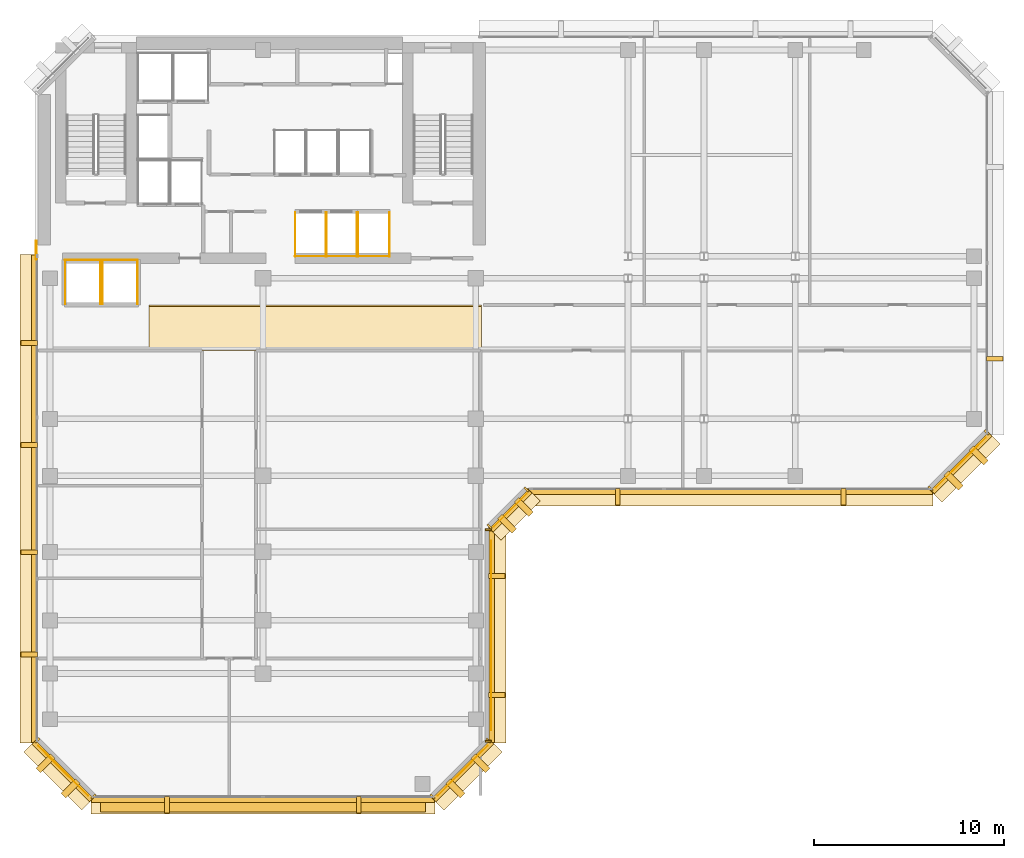
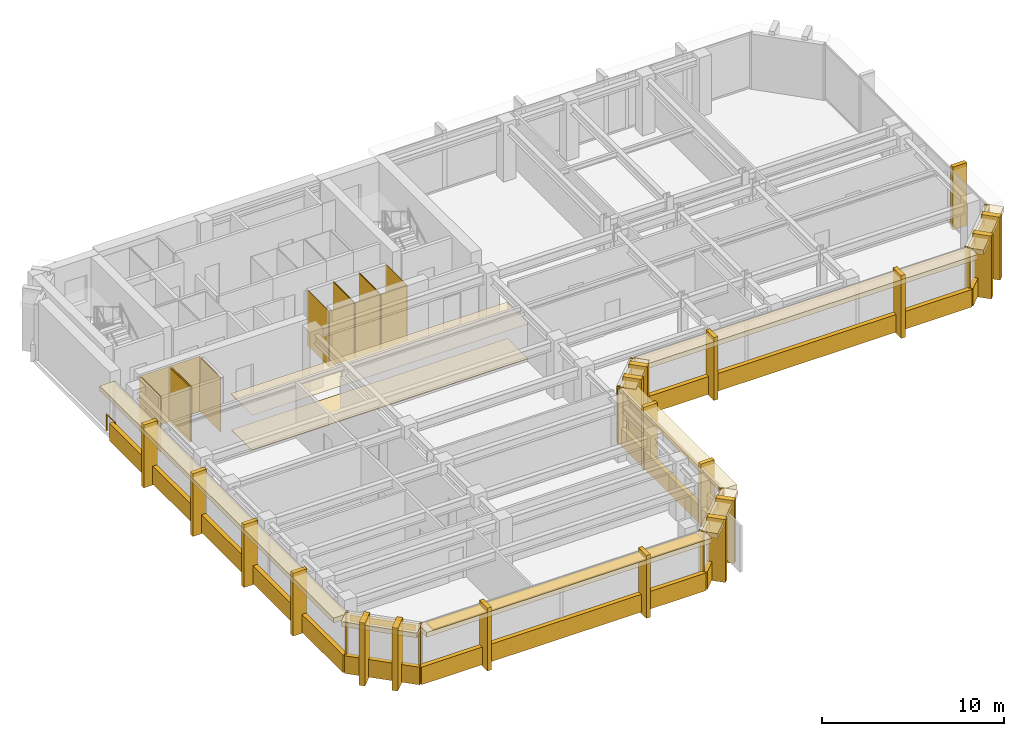
# One storey, part 9 of 12: 67 coverings, 1 railing, 1 shading device.
"""IFC4 building model written with IfcOpenShell, lengths in metres."""

from ifc_helpers import new_model, si_unit, direction, frame, origin, origin_2d, place, context, subcontext, project, spatial, polyline, rectangle, circle, outline, extrude, material, layer, layer_set, type_object, element, save


model = new_model("IFC4")

# Units and contexts
model_context = context("Model", 3, precision=1e-05, world=origin(), true_north=direction((0.0, 1.0)))
body_context = subcontext(model_context, "Body", "Model", "MODEL_VIEW")
ifc_project = project(units=[si_unit("LENGTHUNIT", "METRE"), si_unit("AREAUNIT", "SQUARE_METRE"), si_unit("VOLUMEUNIT", "CUBIC_METRE"), si_unit("PLANEANGLEUNIT", "RADIAN"), si_unit("MASSUNIT", "GRAM", prefix="KILO")], contexts=[model_context])

# Site, building, storey
site_placement = place(None, origin())
site = spatial("IfcSite", under=ifc_project, at=site_placement, CompositionType="ELEMENT")
building_placement = place(site_placement, origin())
building = spatial("IfcBuilding", under=site, at=building_placement, Name="Kefirva Bronze Tower", CompositionType="ELEMENT")
storey_placement = place(building_placement, frame((0.0, 0.0, 207.239990234375)))
storey = spatial("IfcBuildingStorey", under=building, at=storey_placement, Name="L50", CompositionType="ELEMENT", Elevation=207.239990234375)

# Coverings
ifc_material_1 = material(Name="Acoustic mineral tile")
ifc_layer_1 = layer(ifc_material_1, 0.02490234375, Name="Acoustic mineral tile")
ifc_layer_set_1 = layer_set([ifc_layer_1], Name="Acoustic mineral tile")
covering_type_1 = type_object("IfcCoveringType", Name="Acoustic Mineral Suspended Ceiling 25mm", PredefinedType="CEILING", material=ifc_layer_set_1)
covering_1_placement = place(storey_placement, frame((0.0, 0.0, 2.39990234375)))
element("IfcCovering", 1, at=covering_1_placement, inside=storey, type_object=covering_type_1, Name="L50 Corridor Acoustic Ceiling", PredefinedType="CEILING", context=body_context, shape_type="SweptSolid", body=[
    extrude(outline(polyline([(6.0, 29.39990234375), (23.5, 29.39990234375), (23.5, 31.800048828125), (6.0, 31.800048828125), (6.0, 29.39990234375)])), origin(), (0.0, 0.0, 1.0), 0.025146484375),
])
ifc_material_2 = material(Name="Bronze anodised aluminium", Category="aluminium")
ifc_layer_2 = layer(ifc_material_2, 0.02001953125, Name="Bronze anodised aluminium")
ifc_layer_set_2 = layer_set([ifc_layer_2], Name="Bronze anodised aluminium")
covering_type_2 = type_object("IfcCoveringType", Name="Anodised Bronze Spandrel Cladding 20mm", PredefinedType="CLADDING", material=ifc_layer_set_2)
covering_2_placement = place(storey_placement, frame((12.0, 5.760009765625, -0.16015625), z_axis=(0.0, 0.0, 1.0), x_axis=(1.0, 0.0, 0.0)))
element("IfcCovering", 2, at=covering_2_placement, inside=storey, type_object=covering_type_2, Name="L50 Streamline Horizontal Spandrel Band 0", PredefinedType="CLADDING", context=body_context, shape_type="SweptSolid", body=[
    extrude(rectangle(XDim=18.0400390625, YDim=0.280029296875, at=origin_2d()), origin(), (0.0, 0.0, 1.0), 1.179931640625),
])
covering_3_placement = place(storey_placement, frame((22.507080078125, 7.29296875, 3.2900390625), z_axis=(0.0, 0.0, 1.0), x_axis=(0.707106781187, 0.707106781187, 0.0)))
element("IfcCovering", 3, at=covering_3_placement, inside=storey, type_object=covering_type_2, Name="L50 Bronze Spandrel Cladding 1", PredefinedType="CLADDING", context=body_context, shape_type="SweptSolid", body=[
    extrude(rectangle(XDim=3.719482421875, YDim=0.02001953125, at=origin_2d()), origin(), (0.0, 0.0, 1.0), 0.39990234375),
])
for number, where, z_axis, x_axis, name in (
    (4, (20.91162109375, 5.93798828125, 0.0), (0.0, 0.0, 1.0), (0.707106781187, 0.707106781187, 0.0), "L50 Facade Joint Closure Panel 1S"),
    (5, (23.862060546875, 8.88818359375, 0.0), (0.0, 0.0, 1.0), (0.707106781187, 0.707106781187, 0.0), "L50 Facade Joint Closure Panel 1E"),
):
    element("IfcCovering", number, at=place(storey_placement, frame(where, z_axis=z_axis, x_axis=x_axis)), inside=storey, type_object=covering_type_2, Name=name, PredefinedType="CLADDING", context=body_context, shape_type="SweptSolid", body=[
        extrude(rectangle(XDim=0.10009765625, YDim=0.320068359375, at=origin_2d()), origin(), (0.0, 0.0, 1.0), 3.7099609375),
    ])
covering_4_placement = place(storey_placement, frame((22.5283203125, 7.271728515625, -0.16015625), z_axis=(0.0, 0.0, 1.0), x_axis=(0.707106781187, 0.707106781187, 0.0)))
element("IfcCovering", 6, at=covering_4_placement, inside=storey, type_object=covering_type_2, Name="L50 Streamline Horizontal Spandrel Band 1", PredefinedType="CLADDING", context=body_context, shape_type="SweptSolid", body=[
    extrude(rectangle(XDim=4.28271484375, YDim=0.280029296875, at=origin_2d()), origin(), (0.0, 0.0, 1.0), 1.179931640625),
])
covering_5_placement = place(storey_placement, frame((24.010009765625, 14.39990234375, 3.2900390625), z_axis=(0.0, 0.0, 1.0), x_axis=(0.0, 1.0, 0.0)))
element("IfcCovering", 7, at=covering_5_placement, inside=storey, type_object=covering_type_2, Name="L50 Bronze Spandrel Cladding 2", PredefinedType="CLADDING", context=body_context, shape_type="SweptSolid", body=[
    extrude(rectangle(XDim=9.98095703125, YDim=0.02001953125, at=origin_2d()), origin(), (0.0, 0.0, 1.0), 0.39990234375),
])
for number, where, z_axis, x_axis, name in (
    (8, (23.840087890625, 8.8349609375, 0.0), (0.0, 0.0, 1.0), (0.0, 1.0, 0.0), "L50 Facade Joint Closure Panel 2S"),
    (9, (23.840087890625, 19.965087890625, 0.0), (0.0, 0.0, 1.0), (0.0, 1.0, 0.0), "L50 Facade Joint Closure Panel 2E"),
):
    element("IfcCovering", number, at=place(storey_placement, frame(where, z_axis=z_axis, x_axis=x_axis)), inside=storey, type_object=covering_type_2, Name=name, PredefinedType="CLADDING", context=body_context, shape_type="SweptSolid", body=[
        extrude(rectangle(XDim=0.10009765625, YDim=0.320068359375, at=origin_2d()), origin(), (0.0, 0.0, 1.0), 3.7099609375),
    ])
covering_6_placement = place(storey_placement, frame((24.0400390625, 14.39990234375, -0.16015625), z_axis=(0.0, 0.0, 1.0), x_axis=(0.0, 1.0, 0.0)))
element("IfcCovering", 10, at=covering_6_placement, inside=storey, type_object=covering_type_2, Name="L50 Streamline Horizontal Spandrel Band 2", PredefinedType="CLADDING", context=body_context, shape_type="SweptSolid", body=[
    extrude(rectangle(XDim=11.239990234375, YDim=0.280029296875, at=origin_2d()), origin(), (0.0, 0.0, 1.0), 1.179931640625),
])
covering_7_placement = place(storey_placement, frame((25.007080078125, 20.992919921875, 3.2900390625), z_axis=(0.0, 0.0, 1.0), x_axis=(0.707106781187, 0.707106781187, 0.0)))
element("IfcCovering", 11, at=covering_7_placement, inside=storey, type_object=covering_type_2, Name="L50 Bronze Spandrel Cladding 3", PredefinedType="CLADDING", context=body_context, shape_type="SweptSolid", body=[
    extrude(rectangle(XDim=2.446533203125, YDim=0.02001953125, at=origin_2d()), origin(), (0.0, 0.0, 1.0), 0.39990234375),
])
for number, where, z_axis, x_axis, name in (
    (12, (23.91162109375, 20.137939453125, 0.0), (0.0, 0.0, 1.0), (0.707106781187, 0.707106781187, 0.0), "L50 Facade Joint Closure Panel 3S"),
    (13, (25.862060546875, 22.08837890625, 0.0), (0.0, 0.0, 1.0), (0.707106781187, 0.707106781187, 0.0), "L50 Facade Joint Closure Panel 3E"),
):
    element("IfcCovering", number, at=place(storey_placement, frame(where, z_axis=z_axis, x_axis=x_axis)), inside=storey, type_object=covering_type_2, Name=name, PredefinedType="CLADDING", context=body_context, shape_type="SweptSolid", body=[
        extrude(rectangle(XDim=0.10009765625, YDim=0.320068359375, at=origin_2d()), origin(), (0.0, 0.0, 1.0), 3.7099609375),
    ])
covering_8_placement = place(storey_placement, frame((25.0283203125, 20.9716796875, -0.16015625), z_axis=(0.0, 0.0, 1.0), x_axis=(0.707106781187, 0.707106781187, 0.0)))
element("IfcCovering", 14, at=covering_8_placement, inside=storey, type_object=covering_type_2, Name="L50 Streamline Horizontal Spandrel Band 3", PredefinedType="CLADDING", context=body_context, shape_type="SweptSolid", body=[
    extrude(rectangle(XDim=2.868408203125, YDim=0.280029296875, at=origin_2d()), origin(), (0.0, 0.0, 1.0), 1.179931640625),
])
covering_9_placement = place(storey_placement, frame((36.60009765625, 21.9599609375, -0.16015625), z_axis=(0.0, 0.0, 1.0), x_axis=(1.0, 0.0, 0.0)))
element("IfcCovering", 15, at=covering_9_placement, inside=storey, type_object=covering_type_2, Name="L50 Streamline Horizontal Spandrel Band 4", PredefinedType="CLADDING", context=body_context, shape_type="SweptSolid", body=[
    extrude(rectangle(XDim=21.239990234375, YDim=0.280029296875, at=origin_2d()), origin(), (0.0, 0.0, 1.0), 1.179931640625),
])
covering_10_placement = place(storey_placement, frame((48.70703125, 23.492919921875, 3.2900390625), z_axis=(0.0, 0.0, 1.0), x_axis=(0.707106781187, 0.707106781187, 0.0)))
element("IfcCovering", 16, at=covering_10_placement, inside=storey, type_object=covering_type_2, Name="L50 Bronze Spandrel Cladding 4", PredefinedType="CLADDING", context=body_context, shape_type="SweptSolid", body=[
    extrude(rectangle(XDim=3.719482421875, YDim=0.02001953125, at=origin_2d()), origin(), (0.0, 0.0, 1.0), 0.39990234375),
])
for number, where, z_axis, x_axis, name in (
    (17, (47.11181640625, 22.137939453125, 0.0), (0.0, 0.0, 1.0), (0.707106781187, 0.707106781187, 0.0), "L50 Facade Joint Closure Panel 4S"),
    (18, (50.06201171875, 25.08837890625, 0.0), (0.0, 0.0, 1.0), (0.707106781187, 0.707106781187, 0.0), "L50 Facade Joint Closure Panel 4E"),
):
    element("IfcCovering", number, at=place(storey_placement, frame(where, z_axis=z_axis, x_axis=x_axis)), inside=storey, type_object=covering_type_2, Name=name, PredefinedType="CLADDING", context=body_context, shape_type="SweptSolid", body=[
        extrude(rectangle(XDim=0.10009765625, YDim=0.320068359375, at=origin_2d()), origin(), (0.0, 0.0, 1.0), 3.7099609375),
    ])
covering_11_placement = place(storey_placement, frame((48.728271484375, 23.4716796875, -0.16015625), z_axis=(0.0, 0.0, 1.0), x_axis=(0.707106781187, 0.707106781187, 0.0)))
element("IfcCovering", 19, at=covering_11_placement, inside=storey, type_object=covering_type_2, Name="L50 Streamline Horizontal Spandrel Band 5", PredefinedType="CLADDING", context=body_context, shape_type="SweptSolid", body=[
    extrude(rectangle(XDim=4.28271484375, YDim=0.280029296875, at=origin_2d()), origin(), (0.0, 0.0, 1.0), 1.179931640625),
])
covering_12_placement = place(storey_placement, frame((-0.0400390625, 21.597412109375, -0.16015625), z_axis=(0.0, 0.0, 1.0), x_axis=(0.0, -1.0, 0.0)))
element("IfcCovering", 20, at=covering_12_placement, inside=storey, type_object=covering_type_2, Name="L50 Streamline Horizontal Spandrel Band 10", PredefinedType="CLADDING", context=body_context, shape_type="SweptSolid", body=[
    extrude(rectangle(XDim=25.635009765625, YDim=0.280029296875, at=origin_2d()), origin(), (0.0, 0.0, 1.0), 1.179931640625),
])
covering_13_placement = place(storey_placement, frame((1.492919921875, 7.29296875, 3.2900390625), z_axis=(0.0, 0.0, 1.0), x_axis=(0.707106781187, -0.707106781187, 0.0)))
element("IfcCovering", 21, at=covering_13_placement, inside=storey, type_object=covering_type_2, Name="L50 Bronze Spandrel Cladding 7", PredefinedType="CLADDING", context=body_context, shape_type="SweptSolid", body=[
    extrude(rectangle(XDim=3.719482421875, YDim=0.02001953125, at=origin_2d()), origin(), (0.0, 0.0, 1.0), 0.39990234375),
])
for number, where, z_axis, x_axis, name in (
    (22, (0.137939453125, 8.88818359375, 0.0), (0.0, 0.0, 1.0), (0.707106781187, -0.707106781187, 0.0), "L50 Facade Joint Closure Panel 7S"),
    (23, (3.08837890625, 5.93798828125, 0.0), (0.0, 0.0, 1.0), (0.707106781187, -0.707106781187, 0.0), "L50 Facade Joint Closure Panel 7E"),
):
    element("IfcCovering", number, at=place(storey_placement, frame(where, z_axis=z_axis, x_axis=x_axis)), inside=storey, type_object=covering_type_2, Name=name, PredefinedType="CLADDING", context=body_context, shape_type="SweptSolid", body=[
        extrude(rectangle(XDim=0.10009765625, YDim=0.320068359375, at=origin_2d()), origin(), (0.0, 0.0, 1.0), 3.7099609375),
    ])
covering_14_placement = place(storey_placement, frame((1.4716796875, 7.271728515625, -0.16015625), z_axis=(0.0, 0.0, 1.0), x_axis=(0.707106781187, -0.707106781187, 0.0)))
element("IfcCovering", 24, at=covering_14_placement, inside=storey, type_object=covering_type_2, Name="L50 Streamline Horizontal Spandrel Band 11", PredefinedType="CLADDING", context=body_context, shape_type="SweptSolid", body=[
    extrude(rectangle(XDim=4.28271484375, YDim=0.280029296875, at=origin_2d()), origin(), (0.0, 0.0, 1.0), 1.179931640625),
])
covering_15_placement = place(storey_placement, origin())
element("IfcCovering", 25, at=covering_15_placement, inside=storey, type_object=covering_type_2, Name="L50 Lift OB1 Hoistway Liner N", PredefinedType="CLADDING", context=body_context, shape_type="SweptSolid", body=[
    extrude(outline(polyline([(1.580078125, 34.139892578125), (3.469970703125, 34.139892578125), (3.469970703125, 34.159912109375), (1.580078125, 34.159912109375), (1.580078125, 34.139892578125)])), origin(), (0.0, 0.0, 1.0), 3.7099609375),
])
covering_16_placement = place(storey_placement, origin())
element("IfcCovering", 26, at=covering_16_placement, inside=storey, type_object=covering_type_2, Name="L50 Lift OB1 Hoistway Liner W", PredefinedType="CLADDING", context=body_context, shape_type="SweptSolid", body=[
    extrude(outline(polyline([(1.590087890625, 31.830078125), (1.610107421875, 31.830078125), (1.610107421875, 34.169921875), (1.590087890625, 34.169921875), (1.590087890625, 31.830078125)])), origin(), (0.0, 0.0, 1.0), 3.7099609375),
])
covering_17_placement = place(storey_placement, origin())
element("IfcCovering", 27, at=covering_17_placement, inside=storey, type_object=covering_type_2, Name="L50 Lift OB1 Hoistway Liner E", PredefinedType="CLADDING", context=body_context, shape_type="SweptSolid", body=[
    extrude(outline(polyline([(3.43994140625, 31.830078125), (3.4599609375, 31.830078125), (3.4599609375, 34.169921875), (3.43994140625, 34.169921875), (3.43994140625, 31.830078125)])), origin(), (0.0, 0.0, 1.0), 3.7099609375),
])
covering_18_placement = place(storey_placement, origin())
element("IfcCovering", 28, at=covering_18_placement, inside=storey, type_object=covering_type_2, Name="L50 Lift OB2 Hoistway Liner N", PredefinedType="CLADDING", context=body_context, shape_type="SweptSolid", body=[
    extrude(outline(polyline([(3.530029296875, 34.139892578125), (5.419921875, 34.139892578125), (5.419921875, 34.159912109375), (3.530029296875, 34.159912109375), (3.530029296875, 34.139892578125)])), origin(), (0.0, 0.0, 1.0), 3.7099609375),
])
covering_19_placement = place(storey_placement, origin())
element("IfcCovering", 29, at=covering_19_placement, inside=storey, type_object=covering_type_2, Name="L50 Lift OB2 Hoistway Liner W", PredefinedType="CLADDING", context=body_context, shape_type="SweptSolid", body=[
    extrude(outline(polyline([(3.5400390625, 31.830078125), (3.56005859375, 31.830078125), (3.56005859375, 34.169921875), (3.5400390625, 34.169921875), (3.5400390625, 31.830078125)])), origin(), (0.0, 0.0, 1.0), 3.7099609375),
])
covering_20_placement = place(storey_placement, origin())
element("IfcCovering", 30, at=covering_20_placement, inside=storey, type_object=covering_type_2, Name="L50 Lift OB2 Hoistway Liner E", PredefinedType="CLADDING", context=body_context, shape_type="SweptSolid", body=[
    extrude(outline(polyline([(5.389892578125, 31.830078125), (5.409912109375, 31.830078125), (5.409912109375, 34.169921875), (5.389892578125, 34.169921875), (5.389892578125, 31.830078125)])), origin(), (0.0, 0.0, 1.0), 3.7099609375),
])
covering_21_placement = place(storey_placement, origin())
element("IfcCovering", 31, at=covering_21_placement, inside=storey, type_object=covering_type_2, Name="L50 Lift MP1 Hoistway Liner S", PredefinedType="CLADDING", context=body_context, shape_type="SweptSolid", body=[
    extrude(outline(polyline([(13.679931640625, 34.340087890625), (15.320068359375, 34.340087890625), (15.320068359375, 34.360107421875), (13.679931640625, 34.360107421875), (13.679931640625, 34.340087890625)])), origin(), (0.0, 0.0, 1.0), 3.7099609375),
])
covering_22_placement = place(storey_placement, origin())
element("IfcCovering", 32, at=covering_22_placement, inside=storey, type_object=covering_type_2, Name="L50 Lift MP1 Hoistway Liner W", PredefinedType="CLADDING", context=body_context, shape_type="SweptSolid", body=[
    extrude(outline(polyline([(13.68994140625, 34.330078125), (13.7099609375, 34.330078125), (13.7099609375, 36.669921875), (13.68994140625, 36.669921875), (13.68994140625, 34.330078125)])), origin(), (0.0, 0.0, 1.0), 3.7099609375),
])
covering_23_placement = place(storey_placement, origin())
element("IfcCovering", 33, at=covering_23_placement, inside=storey, type_object=covering_type_2, Name="L50 Lift MP1 Hoistway Liner E", PredefinedType="CLADDING", context=body_context, shape_type="SweptSolid", body=[
    extrude(outline(polyline([(15.2900390625, 34.330078125), (15.31005859375, 34.330078125), (15.31005859375, 36.669921875), (15.2900390625, 36.669921875), (15.2900390625, 34.330078125)])), origin(), (0.0, 0.0, 1.0), 3.7099609375),
])
covering_24_placement = place(storey_placement, origin())
element("IfcCovering", 34, at=covering_24_placement, inside=storey, type_object=covering_type_2, Name="L50 Lift MP2 Hoistway Liner S", PredefinedType="CLADDING", context=body_context, shape_type="SweptSolid", body=[
    extrude(outline(polyline([(15.330078125, 34.340087890625), (16.969970703125, 34.340087890625), (16.969970703125, 34.360107421875), (15.330078125, 34.360107421875), (15.330078125, 34.340087890625)])), origin(), (0.0, 0.0, 1.0), 3.7099609375),
])
covering_25_placement = place(storey_placement, origin())
element("IfcCovering", 35, at=covering_25_placement, inside=storey, type_object=covering_type_2, Name="L50 Lift MP2 Hoistway Liner W", PredefinedType="CLADDING", context=body_context, shape_type="SweptSolid", body=[
    extrude(outline(polyline([(15.340087890625, 34.330078125), (15.360107421875, 34.330078125), (15.360107421875, 36.669921875), (15.340087890625, 36.669921875), (15.340087890625, 34.330078125)])), origin(), (0.0, 0.0, 1.0), 3.7099609375),
])
covering_26_placement = place(storey_placement, origin())
element("IfcCovering", 36, at=covering_26_placement, inside=storey, type_object=covering_type_2, Name="L50 Lift MP2 Hoistway Liner E", PredefinedType="CLADDING", context=body_context, shape_type="SweptSolid", body=[
    extrude(outline(polyline([(16.93994140625, 34.330078125), (16.9599609375, 34.330078125), (16.9599609375, 36.669921875), (16.93994140625, 36.669921875), (16.93994140625, 34.330078125)])), origin(), (0.0, 0.0, 1.0), 3.7099609375),
])
covering_27_placement = place(storey_placement, origin())
element("IfcCovering", 37, at=covering_27_placement, inside=storey, type_object=covering_type_2, Name="L50 Lift HP1 Hoistway Liner S", PredefinedType="CLADDING", context=body_context, shape_type="SweptSolid", body=[
    extrude(outline(polyline([(16.97998046875, 34.340087890625), (18.669921875, 34.340087890625), (18.669921875, 34.360107421875), (16.97998046875, 34.360107421875), (16.97998046875, 34.340087890625)])), origin(), (0.0, 0.0, 1.0), 3.7099609375),
])
covering_28_placement = place(storey_placement, origin())
element("IfcCovering", 38, at=covering_28_placement, inside=storey, type_object=covering_type_2, Name="L50 Lift HP1 Hoistway Liner W", PredefinedType="CLADDING", context=body_context, shape_type="SweptSolid", body=[
    extrude(outline(polyline([(16.989990234375, 34.330078125), (17.010009765625, 34.330078125), (17.010009765625, 36.669921875), (16.989990234375, 36.669921875), (16.989990234375, 34.330078125)])), origin(), (0.0, 0.0, 1.0), 3.7099609375),
])
covering_29_placement = place(storey_placement, origin())
element("IfcCovering", 39, at=covering_29_placement, inside=storey, type_object=covering_type_2, Name="L50 Lift HP1 Hoistway Liner E", PredefinedType="CLADDING", context=body_context, shape_type="SweptSolid", body=[
    extrude(outline(polyline([(18.639892578125, 34.330078125), (18.659912109375, 34.330078125), (18.659912109375, 36.669921875), (18.639892578125, 36.669921875), (18.639892578125, 34.330078125)])), origin(), (0.0, 0.0, 1.0), 3.7099609375),
])

# Shading device
ifc_layer_3 = layer(ifc_material_2, 0.090087890625, Name="Bronze anodised aluminium")
ifc_layer_set_3 = layer_set([ifc_layer_3], Name="Bronze anodised aluminium")
shading_device_type = type_object("IfcShadingDeviceType", Name="Horizontal Bronze Sunshade Band 750mm", PredefinedType="JALOUSIE", material=ifc_layer_set_3)
shading_device_placement = place(storey_placement, frame((12.0, 5.5048828125, 3.60498046875), z_axis=(0.0, 0.0, 1.0), x_axis=(1.0, 0.0, 0.0)))
element("IfcShadingDevice", 40, at=shading_device_placement, inside=storey, type_object=shading_device_type, Name="L50 Horizontal Bronze Sunshade Band 0", PredefinedType="JALOUSIE", context=body_context, shape_type="SweptSolid", body=[
    extrude(rectangle(XDim=17.090087890625, YDim=0.75, at=origin_2d()), origin(), (0.0, 0.0, 1.0), 0.090087890625),
])

# Railing
ifc_material_3 = material(Name="Stainless steel 316", Category="steel")
railing_type = type_object("IfcRailingType", Name="Interior Stair Guardrail 1100mm", PredefinedType="GUARDRAIL", material=ifc_material_3)
railing_placement = place(storey_placement, frame((0.080078125, 34.199951171875, 0.0)))
element("IfcRailing", 41, at=railing_placement, inside=storey, type_object=railing_type, Name="L50 West Core Junction Guardrail", PredefinedType="GUARDRAIL", context=body_context, shape_type="SweptSolid", body=[
    extrude(circle(Radius=0.02392578125, at=origin_2d()), frame((0.0, 0.0, 1.076171875), z_axis=(0.0, 1.0, 0.0), x_axis=(-1.0, 0.0, 0.0)), (0.0, 0.0, 1.0), 0.949951171875),
    extrude(circle(Radius=0.02099609375, at=origin_2d()), origin(), (0.0, 0.0, 1.0), 1.052001953125),
    extrude(circle(Radius=0.02099609375, at=origin_2d()), frame((0.0, 0.949951171875, 0.0)), (0.0, 0.0, 1.0), 1.052001953125),
])

# Coverings
ifc_material_4 = material(Name="Calcium sulphate access tile")
ifc_layer_4 = layer(ifc_material_4, 0.044921875, Name="Calcium sulphate access tile")
ifc_layer_set_4 = layer_set([ifc_layer_4], Name="Calcium sulphate access tile")
covering_type_3 = type_object("IfcCoveringType", Name="Raised Access Office Flooring 45mm", PredefinedType="FLOORING", material=ifc_layer_set_4)
covering_30_placement = place(storey_placement, origin())
element("IfcCovering", 42, at=covering_30_placement, inside=storey, type_object=covering_type_3, Name="L50 Architectural Finish Flooring", PredefinedType="FLOORING", context=body_context, shape_type="SweptSolid", body=[
    extrude(outline(polyline([(6.0, 29.47998046875), (23.5, 29.47998046875), (23.5, 31.719970703125), (6.0, 31.719970703125), (6.0, 29.47998046875)])), origin(), (0.0, 0.0, 1.0), 0.044921875),
])
ifc_layer_5 = layer(ifc_material_2, 0.179931640625, Name="Bronze anodised aluminium")
ifc_layer_set_5 = layer_set([ifc_layer_5], Name="Bronze anodised aluminium")
covering_type_4 = type_object("IfcCoveringType", Name="Streamline Bronze Sunshade Eyebrow Cladding 180mm", PredefinedType="CLADDING", material=ifc_layer_set_5)
covering_31_placement = place(storey_placement, frame((12.0, 5.489990234375, 3.39013671875), z_axis=(0.0, 0.0, 1.0), x_axis=(1.0, 0.0, 0.0)))
element("IfcCovering", 43, at=covering_31_placement, inside=storey, type_object=covering_type_4, Name="L50 Streamline Bronze Sunshade Eyebrow 0", PredefinedType="CLADDING", context=body_context, shape_type="SweptSolid", body=[
    extrude(rectangle(XDim=18.080078125, YDim=0.93994140625, at=origin_2d()), origin(), (0.0, 0.0, 1.0), 0.320068359375),
])
covering_32_placement = place(storey_placement, frame((22.71923828125, 7.080810546875, 3.39013671875), z_axis=(0.0, 0.0, 1.0), x_axis=(0.707106781187, 0.707106781187, 0.0)))
element("IfcCovering", 44, at=covering_32_placement, inside=storey, type_object=covering_type_4, Name="L50 Streamline Bronze Sunshade Eyebrow 1", PredefinedType="CLADDING", context=body_context, shape_type="SweptSolid", body=[
    extrude(rectangle(XDim=4.322509765625, YDim=0.93994140625, at=origin_2d()), origin(), (0.0, 0.0, 1.0), 0.320068359375),
])
covering_33_placement = place(storey_placement, frame((24.31005859375, 14.39990234375, 3.39013671875), z_axis=(0.0, 0.0, 1.0), x_axis=(0.0, 1.0, 0.0)))
element("IfcCovering", 45, at=covering_33_placement, inside=storey, type_object=covering_type_4, Name="L50 Streamline Bronze Sunshade Eyebrow 2", PredefinedType="CLADDING", context=body_context, shape_type="SweptSolid", body=[
    extrude(rectangle(XDim=11.280029296875, YDim=0.93994140625, at=origin_2d()), origin(), (0.0, 0.0, 1.0), 0.320068359375),
])
covering_34_placement = place(storey_placement, frame((25.21923828125, 20.78076171875, 3.39013671875), z_axis=(0.0, 0.0, 1.0), x_axis=(0.707106781187, 0.707106781187, 0.0)))
element("IfcCovering", 46, at=covering_34_placement, inside=storey, type_object=covering_type_4, Name="L50 Streamline Bronze Sunshade Eyebrow 3", PredefinedType="CLADDING", context=body_context, shape_type="SweptSolid", body=[
    extrude(rectangle(XDim=2.908447265625, YDim=0.93994140625, at=origin_2d()), origin(), (0.0, 0.0, 1.0), 0.320068359375),
])
covering_35_placement = place(storey_placement, frame((36.60009765625, 21.68994140625, 3.39013671875), z_axis=(0.0, 0.0, 1.0), x_axis=(1.0, 0.0, 0.0)))
element("IfcCovering", 47, at=covering_35_placement, inside=storey, type_object=covering_type_4, Name="L50 Streamline Bronze Sunshade Eyebrow 4", PredefinedType="CLADDING", context=body_context, shape_type="SweptSolid", body=[
    extrude(rectangle(XDim=21.280029296875, YDim=0.93994140625, at=origin_2d()), origin(), (0.0, 0.0, 1.0), 0.320068359375),
])
covering_36_placement = place(storey_placement, frame((48.919189453125, 23.28076171875, 3.39013671875), z_axis=(0.0, 0.0, 1.0), x_axis=(0.707106781187, 0.707106781187, 0.0)))
element("IfcCovering", 48, at=covering_36_placement, inside=storey, type_object=covering_type_4, Name="L50 Streamline Bronze Sunshade Eyebrow 5", PredefinedType="CLADDING", context=body_context, shape_type="SweptSolid", body=[
    extrude(rectangle(XDim=4.322509765625, YDim=0.93994140625, at=origin_2d()), origin(), (0.0, 0.0, 1.0), 0.320068359375),
])
covering_37_placement = place(storey_placement, frame((-0.31005859375, 21.597412109375, 3.39013671875), z_axis=(0.0, 0.0, 1.0), x_axis=(0.0, -1.0, 0.0)))
element("IfcCovering", 49, at=covering_37_placement, inside=storey, type_object=covering_type_4, Name="L50 Streamline Bronze Sunshade Eyebrow 10", PredefinedType="CLADDING", context=body_context, shape_type="SweptSolid", body=[
    extrude(rectangle(XDim=25.675048828125, YDim=0.93994140625, at=origin_2d()), origin(), (0.0, 0.0, 1.0), 0.320068359375),
])
covering_38_placement = place(storey_placement, frame((1.28076171875, 7.080810546875, 3.39013671875), z_axis=(0.0, 0.0, 1.0), x_axis=(0.707106781187, -0.707106781187, 0.0)))
element("IfcCovering", 50, at=covering_38_placement, inside=storey, type_object=covering_type_4, Name="L50 Streamline Bronze Sunshade Eyebrow 11", PredefinedType="CLADDING", context=body_context, shape_type="SweptSolid", body=[
    extrude(rectangle(XDim=4.322509765625, YDim=0.93994140625, at=origin_2d()), origin(), (0.0, 0.0, 1.0), 0.320068359375),
])
ifc_layer_6 = layer(ifc_material_2, 0.260009765625, Name="Bronze anodised aluminium")
ifc_layer_set_6 = layer_set([ifc_layer_6], Name="Bronze anodised aluminium")
covering_type_5 = type_object("IfcCoveringType", Name="Unbroken Bronze Buttress Fin Cladding 260mm", PredefinedType="CLADDING", material=ifc_layer_set_6)
for number, where, z_axis, x_axis, name in (
    (51, (6.9599609375, 5.5, -0.25), (0.0, 0.0, 1.0), (1.0, 0.0, 0.0), "L50 Unbroken Vertical Bronze Rib Fin 1"),
    (52, (17.0400390625, 5.5, -0.25), (0.0, 0.0, 1.0), (1.0, 0.0, 0.0), "L50 Unbroken Vertical Bronze Rib Fin 2"),
):
    element("IfcCovering", number, at=place(storey_placement, frame(where, z_axis=z_axis, x_axis=x_axis)), inside=storey, type_object=covering_type_5, Name=name, PredefinedType="CLADDING", context=body_context, shape_type="SweptSolid", body=[
        extrude(rectangle(XDim=0.260009765625, YDim=0.8798828125, at=origin_2d()), origin(), (0.0, 0.0, 1.0), 4.2099609375),
    ])
for number, where, z_axis, x_axis, name in (
    (53, (22.122802734375, 6.357177734375, -0.25), (0.0, 0.0, 1.0), (0.707106781187, 0.707106781187, 0.0), "L50 Chamfered Corner Buttress Fin Cladding 3"),
    (54, (23.44287109375, 7.67724609375, -0.25), (0.0, 0.0, 1.0), (0.707106781187, 0.707106781187, 0.0), "L50 Chamfered Corner Buttress Fin Cladding 4"),
):
    element("IfcCovering", number, at=place(storey_placement, frame(where, z_axis=z_axis, x_axis=x_axis)), inside=storey, type_object=covering_type_5, Name=name, PredefinedType="CLADDING", context=body_context, shape_type="SweptSolid", body=[
        extrude(rectangle(XDim=0.340087890625, YDim=1.080078125, at=origin_2d()), origin(), (0.0, 0.0, 1.0), 4.2099609375),
    ])
for number, where, z_axis, x_axis, name in (
    (55, (24.300048828125, 11.263916015625, -0.25), (0.0, 0.0, 1.0), (0.0, 1.0, 0.0), "L50 Unbroken Vertical Bronze Rib Fin 5"),
    (56, (24.300048828125, 17.535888671875, -0.25), (0.0, 0.0, 1.0), (0.0, 1.0, 0.0), "L50 Unbroken Vertical Bronze Rib Fin 6"),
):
    element("IfcCovering", number, at=place(storey_placement, frame(where, z_axis=z_axis, x_axis=x_axis)), inside=storey, type_object=covering_type_5, Name=name, PredefinedType="CLADDING", context=body_context, shape_type="SweptSolid", body=[
        extrude(rectangle(XDim=0.260009765625, YDim=0.8798828125, at=origin_2d()), origin(), (0.0, 0.0, 1.0), 4.2099609375),
    ])
for number, where, z_axis, x_axis, name in (
    (57, (24.8427734375, 20.277099609375, -0.25), (0.0, 0.0, 1.0), (0.707106781187, 0.707106781187, 0.0), "L50 Chamfered Corner Buttress Fin Cladding 7"),
    (58, (25.722900390625, 21.1572265625, -0.25), (0.0, 0.0, 1.0), (0.707106781187, 0.707106781187, 0.0), "L50 Chamfered Corner Buttress Fin Cladding 8"),
):
    element("IfcCovering", number, at=place(storey_placement, frame(where, z_axis=z_axis, x_axis=x_axis)), inside=storey, type_object=covering_type_5, Name=name, PredefinedType="CLADDING", context=body_context, shape_type="SweptSolid", body=[
        extrude(rectangle(XDim=0.340087890625, YDim=1.080078125, at=origin_2d()), origin(), (0.0, 0.0, 1.0), 4.2099609375),
    ])
for number, where, z_axis, x_axis, name in (
    (59, (30.6640625, 21.699951171875, -0.25), (0.0, 0.0, 1.0), (1.0, 0.0, 0.0), "L50 Unbroken Vertical Bronze Rib Fin 9"),
    (60, (42.535888671875, 21.699951171875, -0.25), (0.0, 0.0, 1.0), (1.0, 0.0, 0.0), "L50 Unbroken Vertical Bronze Rib Fin 10"),
):
    element("IfcCovering", number, at=place(storey_placement, frame(where, z_axis=z_axis, x_axis=x_axis)), inside=storey, type_object=covering_type_5, Name=name, PredefinedType="CLADDING", context=body_context, shape_type="SweptSolid", body=[
        extrude(rectangle(XDim=0.260009765625, YDim=0.8798828125, at=origin_2d()), origin(), (0.0, 0.0, 1.0), 4.2099609375),
    ])
for number, where, z_axis, x_axis, name in (
    (61, (48.32275390625, 22.55712890625, -0.25), (0.0, 0.0, 1.0), (0.707106781187, 0.707106781187, 0.0), "L50 Chamfered Corner Buttress Fin Cladding 11"),
    (62, (49.642822265625, 23.877197265625, -0.25), (0.0, 0.0, 1.0), (0.707106781187, 0.707106781187, 0.0), "L50 Chamfered Corner Buttress Fin Cladding 12"),
):
    element("IfcCovering", number, at=place(storey_placement, frame(where, z_axis=z_axis, x_axis=x_axis)), inside=storey, type_object=covering_type_5, Name=name, PredefinedType="CLADDING", context=body_context, shape_type="SweptSolid", body=[
        extrude(rectangle(XDim=0.340087890625, YDim=1.080078125, at=origin_2d()), origin(), (0.0, 0.0, 1.0), 4.2099609375),
    ])
for number, where, z_axis, x_axis, name in (
    (63, (50.5, 28.9599609375, -0.25), (0.0, 0.0, 1.0), (0.0, 1.0, 0.0), "L50 Unbroken Vertical Bronze Rib Fin 13"),
    (64, (-0.300048828125, 29.787841796875, -0.25), (0.0, 0.0, 1.0), (0.0, -1.0, 0.0), "L50 Unbroken Vertical Bronze Rib Fin 23"),
    (65, (-0.300048828125, 24.4130859375, -0.25), (0.0, 0.0, 1.0), (0.0, -1.0, 0.0), "L50 Unbroken Vertical Bronze Rib Fin 24"),
    (66, (-0.300048828125, 18.781982421875, -0.25), (0.0, 0.0, 1.0), (0.0, -1.0, 0.0), "L50 Unbroken Vertical Bronze Rib Fin 25"),
    (67, (-0.300048828125, 13.406982421875, -0.25), (0.0, 0.0, 1.0), (0.0, -1.0, 0.0), "L50 Unbroken Vertical Bronze Rib Fin 26"),
):
    element("IfcCovering", number, at=place(storey_placement, frame(where, z_axis=z_axis, x_axis=x_axis)), inside=storey, type_object=covering_type_5, Name=name, PredefinedType="CLADDING", context=body_context, shape_type="SweptSolid", body=[
        extrude(rectangle(XDim=0.260009765625, YDim=0.8798828125, at=origin_2d()), origin(), (0.0, 0.0, 1.0), 4.2099609375),
    ])
for number, where, z_axis, x_axis, name in (
    (68, (0.55712890625, 7.67724609375, -0.25), (0.0, 0.0, 1.0), (0.707106781187, -0.707106781187, 0.0), "L50 Chamfered Corner Buttress Fin Cladding 27"),
    (69, (1.877197265625, 6.357177734375, -0.25), (0.0, 0.0, 1.0), (0.707106781187, -0.707106781187, 0.0), "L50 Chamfered Corner Buttress Fin Cladding 28"),
):
    element("IfcCovering", number, at=place(storey_placement, frame(where, z_axis=z_axis, x_axis=x_axis)), inside=storey, type_object=covering_type_5, Name=name, PredefinedType="CLADDING", context=body_context, shape_type="SweptSolid", body=[
        extrude(rectangle(XDim=0.340087890625, YDim=1.080078125, at=origin_2d()), origin(), (0.0, 0.0, 1.0), 4.2099609375),
    ])

save(model, "model.ifc")
